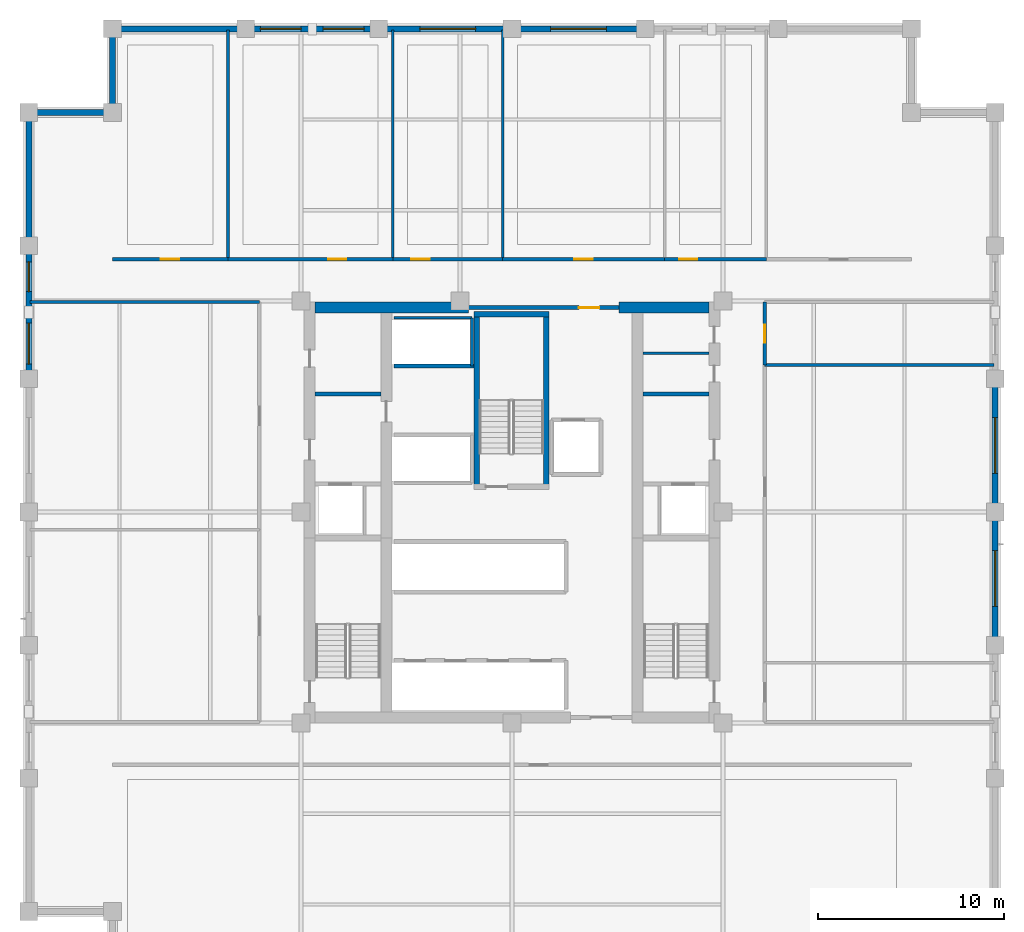
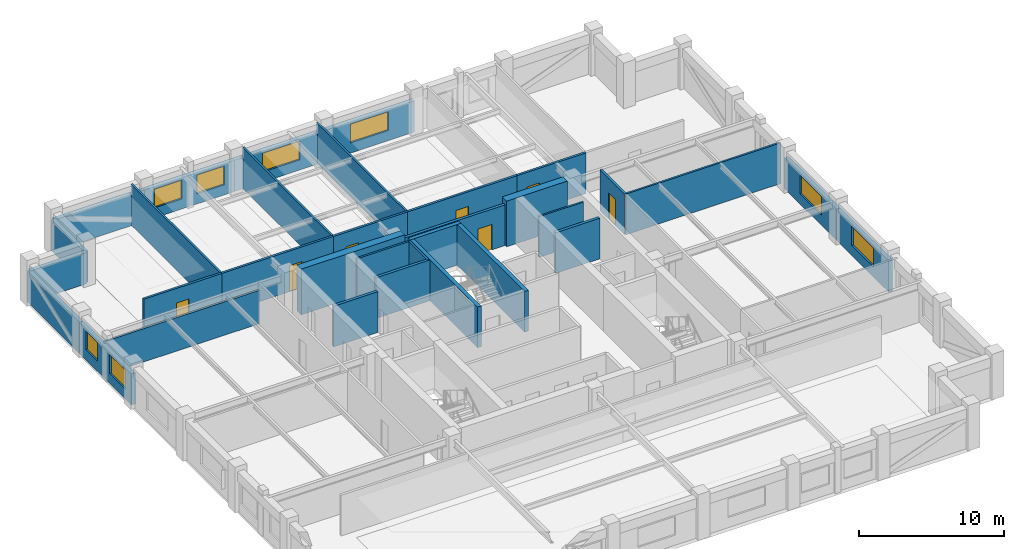
# One storey, part 7 of 12: 33 walls, 8 windows, 7 doors, 15 openings.
"""IFC4 building model written with IfcOpenShell, lengths in metres."""

from ifc_helpers import new_model, si_unit, direction, frame, frame_2d, origin, place, context, subcontext, project, spatial, rectangle, extrude, material, layer, layer_set, type_object, element, fill, save


model = new_model("IFC4")

# Units and contexts
model_context = context("Model", 3, precision=1e-05, world=origin(), true_north=direction((0.0, 1.0)))
body_context = subcontext(model_context, "Body", "Model", "MODEL_VIEW")
ifc_project = project(units=[si_unit("LENGTHUNIT", "METRE"), si_unit("AREAUNIT", "SQUARE_METRE"), si_unit("VOLUMEUNIT", "CUBIC_METRE"), si_unit("PLANEANGLEUNIT", "RADIAN"), si_unit("MASSUNIT", "GRAM", prefix="KILO")], contexts=[model_context])

# Site, building, storey
site_placement = place(None, origin())
site = spatial("IfcSite", under=ifc_project, at=site_placement, CompositionType="ELEMENT")
building_placement = place(site_placement, origin())
building = spatial("IfcBuilding", under=site, at=building_placement, Name="Nhamokura Convention Tower", CompositionType="ELEMENT")
storey_placement = place(building_placement, frame((0.0, 0.0, 110.60009765625)))
storey = spatial("IfcBuildingStorey", under=building, at=storey_placement, Name="L26", CompositionType="ELEMENT", Elevation=110.60009765625)

# Walls
ifc_material_1 = material(Name="Moisture-resistant tile-backer partition", Category="masonry")
ifc_layer_1 = layer(ifc_material_1, 0.139892578125)
ifc_layer_set_1 = layer_set([ifc_layer_1], Name="BathroomWetWall_140")
wall_type_1 = type_object("IfcWallType", Name="BathroomWetWall_140", PredefinedType="STANDARD", material=ifc_layer_set_1)
wall_1_placement = place(storey_placement, frame((39.06005859375, 40.550048828125, 0.0), z_axis=(0.0, 0.0, 1.0), x_axis=(1.0, 0.0, 0.0)))
element("IfcWall", 1, at=wall_1_placement, inside=storey, type_object=wall_type_1, Name="L26 Wall INT-L26-CWNE", PredefinedType="STANDARD", context=body_context, shape_type="SweptSolid", body=[
    extrude(rectangle(XDim=3.530029296875, YDim=0.139892578125, at=frame_2d((1.76513671875, 0.0))), origin(), (0.0, 0.0, 1.0), 3.429931640625),
])
ifc_material_2 = material(Name="Bronze-pigmented precast concrete C45/55", Category="concrete")
ifc_layer_2 = layer(ifc_material_2, 0.320068359375)
ifc_layer_set_2 = layer_set([ifc_layer_2], Name="BronzePrecastSpandrel_320")
wall_type_2 = type_object("IfcWallType", Name="BronzePrecastSpandrel_320", PredefinedType="USERDEFINED", material=ifc_layer_set_2)
wall_2_placement = place(storey_placement, frame((10.5, 58.0, 0.0), z_axis=(0.0, 0.0, 1.0), x_axis=(1.0, 0.0, 0.0)))
element("IfcWall", 2, at=wall_2_placement, inside=storey, type_object=wall_type_2, Name="L26 Braced-Bay Precast Wall NORTH 0", ObjectType="SPANDREL_WALL", PredefinedType="USERDEFINED", context=body_context, shape_type="SweptSolid", body=[
    extrude(rectangle(XDim=7.166748046875, YDim=0.320068359375, at=frame_2d((3.58349609375, 0.0))), origin(), (0.0, 0.0, 1.0), 2.6298828125),
])

# Wall, openings, windows
wall_3_placement = place(storey_placement, frame((17.666748046875, 58.0, 0.0), z_axis=(0.0, 0.0, 1.0), x_axis=(1.0, 0.0, 0.0)))
wall_3 = element("IfcWall", 3, at=wall_3_placement, inside=storey, type_object=wall_type_2, Name="L26 Masonry-Frame Wall NORTH 1", ObjectType="SPANDREL_WALL", PredefinedType="USERDEFINED", context=body_context, shape_type="SweptSolid", body=[
    extrude(rectangle(XDim=7.16650390625, YDim=0.320068359375, at=frame_2d((3.583251953125, 0.0))), origin(), (0.0, 0.0, 1.0), 2.6298828125),
])
opening_1_placement = place(wall_3_placement, frame((0.791748046875, 0.0, 0.85009765625)))
opening_1 = element("IfcOpeningElement", 4, at=opening_1_placement, cuts=wall_3, Name="Opening W-06", PredefinedType="OPENING", context=body_context, shape_type="SweptSolid", body=[
    extrude(rectangle(XDim=2.199951171875, YDim=1.580078125, at=frame_2d((1.10009765625, 0.7900390625))), frame((0.0, 0.169921875, 0.0), z_axis=(0.0, -1.0, 0.0), x_axis=(1.0, 0.0, 0.0)), (0.0, 0.0, 1.0), 0.340087890625),
])
opening_2_placement = place(wall_3_placement, frame((4.175048828125, 0.0, 0.85009765625)))
opening_2 = element("IfcOpeningElement", 5, at=opening_2_placement, cuts=wall_3, Name="Opening W-06", PredefinedType="OPENING", context=body_context, shape_type="SweptSolid", body=[
    extrude(rectangle(XDim=2.199951171875, YDim=1.580078125, at=frame_2d((1.10009765625, 0.7900390625))), frame((0.0, 0.169921875, 0.0), z_axis=(0.0, -1.0, 0.0), x_axis=(1.0, 0.0, 0.0)), (0.0, 0.0, 1.0), 0.340087890625),
])
ifc_material_3 = material(Name="Solar-control bronze low-E double glass", Category="glass")
window_type_1 = type_object("IfcWindowType", Name="OfficeModuleWindow_Z2_2200", PartitioningType="SINGLE_PANEL", PredefinedType="WINDOW", material=ifc_material_3)
window_1_placement = place(opening_1_placement, origin())
window_1 = element("IfcWindow", 6, at=window_1_placement, inside=storey, type_object=window_type_1, Name="L26 Facade Window NORTH 1-1", OverallHeight=1.580078125, OverallWidth=2.199951171875, PartitioningType="SINGLE_PANEL", PredefinedType="WINDOW", context=body_context, shape_type="SweptSolid", body=[
    extrude(rectangle(XDim=2.199951171875, YDim=1.580078125, at=frame_2d((1.10009765625, 0.7900390625))), frame((0.0, 0.030029296875, 0.0), z_axis=(0.0, -1.0, 0.0), x_axis=(1.0, 0.0, 0.0)), (0.0, 0.0, 1.0), 0.06005859375),
])
fill(opening_1, window_1)
window_2_placement = place(opening_2_placement, origin())
window_2 = element("IfcWindow", 7, at=window_2_placement, inside=storey, type_object=window_type_1, Name="L26 Facade Window NORTH 1-2", OverallHeight=1.580078125, OverallWidth=2.199951171875, PartitioningType="SINGLE_PANEL", PredefinedType="WINDOW", context=body_context, shape_type="SweptSolid", body=[
    extrude(rectangle(XDim=2.199951171875, YDim=1.580078125, at=frame_2d((1.10009765625, 0.7900390625))), frame((0.0, 0.030029296875, 0.0), z_axis=(0.0, -1.0, 0.0), x_axis=(1.0, 0.0, 0.0)), (0.0, 0.0, 1.0), 0.06005859375),
])
fill(opening_2, window_2)

# Wall, opening, window
wall_4_placement = place(storey_placement, frame((24.833251953125, 58.0, 0.0), z_axis=(0.0, 0.0, 1.0), x_axis=(1.0, 0.0, 0.0)))
wall_4 = element("IfcWall", 8, at=wall_4_placement, inside=storey, type_object=wall_type_2, Name="L26 Masonry-Frame Wall NORTH 2", ObjectType="SPANDREL_WALL", PredefinedType="USERDEFINED", context=body_context, shape_type="SweptSolid", body=[
    extrude(rectangle(XDim=7.166748046875, YDim=0.320068359375, at=frame_2d((3.58349609375, 0.0))), origin(), (0.0, 0.0, 1.0), 2.6298828125),
])
opening_3_placement = place(wall_4_placement, frame((2.208251953125, 0.0, 0.85009765625)))
opening_3 = element("IfcOpeningElement", 9, at=opening_3_placement, cuts=wall_4, Name="Opening W-05", PredefinedType="OPENING", context=body_context, shape_type="SweptSolid", body=[
    extrude(rectangle(XDim=3.0, YDim=1.580078125, at=frame_2d((1.5, 0.7900390625))), frame((0.0, 0.169921875, 0.0), z_axis=(0.0, -1.0, 0.0), x_axis=(1.0, 0.0, 0.0)), (0.0, 0.0, 1.0), 0.340087890625),
])
ifc_material_4 = material(Name="Solar-control bronze low-E double glass", Category="glass")
window_type_2 = type_object("IfcWindowType", Name="OfficeModuleWindow_Z2_3000", PartitioningType="DOUBLE_PANEL_VERTICAL", PredefinedType="WINDOW", material=ifc_material_4)
window_3_placement = place(opening_3_placement, origin())
window_3 = element("IfcWindow", 10, at=window_3_placement, inside=storey, type_object=window_type_2, Name="L26 Facade Window NORTH 2", OverallHeight=1.580078125, OverallWidth=3.0, PartitioningType="SINGLE_PANEL", PredefinedType="WINDOW", context=body_context, shape_type="SweptSolid", body=[
    extrude(rectangle(XDim=3.0, YDim=1.580078125, at=frame_2d((1.5, 0.7900390625))), frame((0.0, 0.030029296875, 0.0), z_axis=(0.0, -1.0, 0.0), x_axis=(1.0, 0.0, 0.0)), (0.0, 0.0, 1.0), 0.06005859375),
])
fill(opening_3, window_3)

wall_5_placement = place(storey_placement, frame((32.0, 58.0, 0.0), z_axis=(0.0, 0.0, 1.0), x_axis=(1.0, 0.0, 0.0)))
wall_5 = element("IfcWall", 11, at=wall_5_placement, inside=storey, type_object=wall_type_2, Name="L26 Masonry-Frame Wall NORTH 3", ObjectType="SPANDREL_WALL", PredefinedType="USERDEFINED", context=body_context, shape_type="SweptSolid", body=[
    extrude(rectangle(XDim=7.166748046875, YDim=0.320068359375, at=frame_2d((3.58349609375, 0.0))), origin(), (0.0, 0.0, 1.0), 2.6298828125),
])
opening_4_placement = place(wall_5_placement, frame((2.083251953125, 0.0, 0.85009765625)))
opening_4 = element("IfcOpeningElement", 12, at=opening_4_placement, cuts=wall_5, Name="Opening W-05", PredefinedType="OPENING", context=body_context, shape_type="SweptSolid", body=[
    extrude(rectangle(XDim=3.0, YDim=1.580078125, at=frame_2d((1.5, 0.7900390625))), frame((0.0, 0.169921875, 0.0), z_axis=(0.0, -1.0, 0.0), x_axis=(1.0, 0.0, 0.0)), (0.0, 0.0, 1.0), 0.340087890625),
])
window_4_placement = place(opening_4_placement, origin())
window_4 = element("IfcWindow", 13, at=window_4_placement, inside=storey, type_object=window_type_2, Name="L26 Facade Window NORTH 3", OverallHeight=1.580078125, OverallWidth=3.0, PartitioningType="SINGLE_PANEL", PredefinedType="WINDOW", context=body_context, shape_type="SweptSolid", body=[
    extrude(rectangle(XDim=3.0, YDim=1.580078125, at=frame_2d((1.5, 0.7900390625))), frame((0.0, 0.030029296875, 0.0), z_axis=(0.0, -1.0, 0.0), x_axis=(1.0, 0.0, 0.0)), (0.0, 0.0, 1.0), 0.06005859375),
])
fill(opening_4, window_4)

# Wall, openings, windows
wall_6_placement = place(storey_placement, frame((6.0, 39.166748046875, 0.0), z_axis=(0.0, 0.0, 1.0), x_axis=(0.0, 1.0, 0.0)))
wall_6 = element("IfcWall", 14, at=wall_6_placement, inside=storey, type_object=wall_type_2, Name="L26 Masonry-Frame Wall WEST 4", ObjectType="SPANDREL_WALL", PredefinedType="USERDEFINED", context=body_context, shape_type="SweptSolid", body=[
    extrude(rectangle(XDim=7.16650390625, YDim=0.320068359375, at=frame_2d((3.583251953125, 0.0))), origin(), (0.0, 0.0, 1.0), 2.6298828125),
])
opening_5_placement = place(wall_6_placement, frame((0.791748046875, 0.0, 0.85009765625)))
opening_5 = element("IfcOpeningElement", 15, at=opening_5_placement, cuts=wall_6, Name="Opening W-06", PredefinedType="OPENING", context=body_context, shape_type="SweptSolid", body=[
    extrude(rectangle(XDim=2.199951171875, YDim=1.580078125, at=frame_2d((1.10009765625, 0.7900390625))), frame((0.0, 0.169921875, 0.0), z_axis=(0.0, -1.0, 0.0), x_axis=(1.0, 0.0, 0.0)), (0.0, 0.0, 1.0), 0.340087890625),
])
opening_6_placement = place(wall_6_placement, frame((4.6875, 0.0, 0.85009765625)))
opening_6 = element("IfcOpeningElement", 16, at=opening_6_placement, cuts=wall_6, Name="Opening W-11", PredefinedType="OPENING", context=body_context, shape_type="SweptSolid", body=[
    extrude(rectangle(XDim=1.60009765625, YDim=1.580078125, at=frame_2d((0.800048828125, 0.7900390625))), frame((0.0, 0.169921875, 0.0), z_axis=(0.0, -1.0, 0.0), x_axis=(1.0, 0.0, 0.0)), (0.0, 0.0, 1.0), 0.340087890625),
])
ifc_material_5 = material(Name="Solar-control bronze low-E double glass", Category="glass")
window_type_3 = type_object("IfcWindowType", Name="NotchCornerWindow_1600", PartitioningType="SINGLE_PANEL", PredefinedType="WINDOW", material=ifc_material_5)
window_5_placement = place(opening_6_placement, origin())
window_5 = element("IfcWindow", 17, at=window_5_placement, inside=storey, type_object=window_type_3, Name="L26 Facade Window WEST 4-2", OverallHeight=1.580078125, OverallWidth=1.60009765625, PartitioningType="SINGLE_PANEL", PredefinedType="WINDOW", context=body_context, shape_type="SweptSolid", body=[
    extrude(rectangle(XDim=1.60009765625, YDim=1.580078125, at=frame_2d((0.800048828125, 0.7900390625))), frame((0.0, 0.030029296875, 0.0), z_axis=(0.0, -1.0, 0.0), x_axis=(1.0, 0.0, 0.0)), (0.0, 0.0, 1.0), 0.06005859375),
])
fill(opening_6, window_5)
window_6_placement = place(opening_5_placement, origin())
window_6 = element("IfcWindow", 18, at=window_6_placement, inside=storey, type_object=window_type_1, Name="L26 Facade Window WEST 4-1", OverallHeight=1.580078125, OverallWidth=2.199951171875, PartitioningType="SINGLE_PANEL", PredefinedType="WINDOW", context=body_context, shape_type="SweptSolid", body=[
    extrude(rectangle(XDim=2.199951171875, YDim=1.580078125, at=frame_2d((1.10009765625, 0.7900390625))), frame((0.0, 0.030029296875, 0.0), z_axis=(0.0, -1.0, 0.0), x_axis=(1.0, 0.0, 0.0)), (0.0, 0.0, 1.0), 0.06005859375),
])
fill(opening_5, window_6)

# Wall
wall_7_placement = place(storey_placement, frame((6.0, 46.333251953125, 0.0), z_axis=(0.0, 0.0, 1.0), x_axis=(0.0, 1.0, 0.0)))
element("IfcWall", 19, at=wall_7_placement, inside=storey, type_object=wall_type_2, Name="L26 Braced-Bay Precast Wall WEST 5", ObjectType="SPANDREL_WALL", PredefinedType="USERDEFINED", context=body_context, shape_type="SweptSolid", body=[
    extrude(rectangle(XDim=7.166748046875, YDim=0.320068359375, at=frame_2d((3.58349609375, 0.0))), origin(), (0.0, 0.0, 1.0), 2.6298828125),
])

# Wall, opening, window
wall_8_placement = place(storey_placement, frame((58.0, 32.0, 0.0), z_axis=(0.0, 0.0, 1.0), x_axis=(0.0, -1.0, 0.0)))
wall_8 = element("IfcWall", 20, at=wall_8_placement, inside=storey, type_object=wall_type_2, Name="L26 Masonry-Frame Wall EAST 2", ObjectType="SPANDREL_WALL", PredefinedType="USERDEFINED", context=body_context, shape_type="SweptSolid", body=[
    extrude(rectangle(XDim=7.166748046875, YDim=0.320068359375, at=frame_2d((3.58349609375, 0.0))), origin(), (0.0, 0.0, 1.0), 2.6298828125),
])
opening_7_placement = place(wall_8_placement, frame((2.083251953125, 0.0, 0.85009765625)))
opening_7 = element("IfcOpeningElement", 21, at=opening_7_placement, cuts=wall_8, Name="Opening W-05", PredefinedType="OPENING", context=body_context, shape_type="SweptSolid", body=[
    extrude(rectangle(XDim=3.0, YDim=1.580078125, at=frame_2d((1.5, 0.7900390625))), frame((0.0, 0.169921875, 0.0), z_axis=(0.0, -1.0, 0.0), x_axis=(1.0, 0.0, 0.0)), (0.0, 0.0, 1.0), 0.340087890625),
])
window_7_placement = place(opening_7_placement, origin())
window_7 = element("IfcWindow", 22, at=window_7_placement, inside=storey, type_object=window_type_2, Name="L26 Facade Window EAST 2", OverallHeight=1.580078125, OverallWidth=3.0, PartitioningType="SINGLE_PANEL", PredefinedType="WINDOW", context=body_context, shape_type="SweptSolid", body=[
    extrude(rectangle(XDim=3.0, YDim=1.580078125, at=frame_2d((1.5, 0.7900390625))), frame((0.0, 0.030029296875, 0.0), z_axis=(0.0, -1.0, 0.0), x_axis=(1.0, 0.0, 0.0)), (0.0, 0.0, 1.0), 0.06005859375),
])
fill(opening_7, window_7)

wall_9_placement = place(storey_placement, frame((58.0, 39.166748046875, 0.0), z_axis=(0.0, 0.0, 1.0), x_axis=(0.0, -1.0, 0.0)))
wall_9 = element("IfcWall", 23, at=wall_9_placement, inside=storey, type_object=wall_type_2, Name="L26 Masonry-Frame Wall EAST 3", ObjectType="SPANDREL_WALL", PredefinedType="USERDEFINED", context=body_context, shape_type="SweptSolid", body=[
    extrude(rectangle(XDim=7.166748046875, YDim=0.320068359375, at=frame_2d((3.58349609375, 0.0))), origin(), (0.0, 0.0, 1.0), 2.6298828125),
])
opening_8_placement = place(wall_9_placement, frame((2.083251953125, 0.0, 0.85009765625)))
opening_8 = element("IfcOpeningElement", 24, at=opening_8_placement, cuts=wall_9, Name="Opening W-05", PredefinedType="OPENING", context=body_context, shape_type="SweptSolid", body=[
    extrude(rectangle(XDim=3.0, YDim=1.580078125, at=frame_2d((1.5, 0.7900390625))), frame((0.0, 0.169921875, 0.0), z_axis=(0.0, -1.0, 0.0), x_axis=(1.0, 0.0, 0.0)), (0.0, 0.0, 1.0), 0.340087890625),
])
window_8_placement = place(opening_8_placement, origin())
window_8 = element("IfcWindow", 25, at=window_8_placement, inside=storey, type_object=window_type_2, Name="L26 Facade Window EAST 3", OverallHeight=1.580078125, OverallWidth=3.0, PartitioningType="SINGLE_PANEL", PredefinedType="WINDOW", context=body_context, shape_type="SweptSolid", body=[
    extrude(rectangle(XDim=3.0, YDim=1.580078125, at=frame_2d((1.5, 0.7900390625))), frame((0.0, 0.030029296875, 0.0), z_axis=(0.0, -1.0, 0.0), x_axis=(1.0, 0.0, 0.0)), (0.0, 0.0, 1.0), 0.06005859375),
])
fill(opening_8, window_8)

# Walls
for number, where, z_axis, x_axis, name in (
    (26, (10.5, 53.5, 0.0), (0.0, 0.0, 1.0), (0.0, 1.0, 0.0), "L26 Notched Corner Wall NW1"),
    (27, (6.0, 53.5, 0.0), (0.0, 0.0, 1.0), (1.0, 0.0, 0.0), "L26 Notched Corner Wall NW2"),
):
    element("IfcWall", number, at=place(storey_placement, frame(where, z_axis=z_axis, x_axis=x_axis)), inside=storey, type_object=wall_type_2, Name=name, ObjectType="SPANDREL_WALL", PredefinedType="USERDEFINED", context=body_context, shape_type="SweptSolid", body=[
        extrude(rectangle(XDim=4.5, YDim=0.320068359375, at=frame_2d((2.25, 0.0))), origin(), (0.0, 0.0, 1.0), 2.6298828125),
    ])
ifc_material_6 = material(Name="Concrete C60/75", Category="concrete")
ifc_layer_3 = layer(ifc_material_6, 0.60009765625)
ifc_layer_set_3 = layer_set([ifc_layer_3], Name="CoreShearWall_600")
wall_type_3 = type_object("IfcWallType", Name="CoreShearWall_600", PredefinedType="SHEAR", material=ifc_layer_set_3)
wall_10_placement = place(storey_placement, frame((21.409912109375, 43.0, 0.0), z_axis=(0.0, 0.0, 1.0), x_axis=(1.0, 0.0, 0.0)))
element("IfcWall", 28, at=wall_10_placement, inside=storey, type_object=wall_type_3, Name="L26 Core Shear Wall CW-N1", PredefinedType="SHEAR", context=body_context, shape_type="SweptSolid", body=[
    extrude(rectangle(XDim=8.239990234375, YDim=0.60009765625, at=frame_2d((4.1201171875, 0.0))), origin(), (0.0, 0.0, 1.0), 3.849853515625),
])
wall_11_placement = place(storey_placement, frame((37.75, 43.0, 0.0), z_axis=(0.0, 0.0, 1.0), x_axis=(1.0, 0.0, 0.0)))
element("IfcWall", 29, at=wall_11_placement, inside=storey, type_object=wall_type_3, Name="L26 Core Shear Wall CW-N2", PredefinedType="SHEAR", context=body_context, shape_type="SweptSolid", body=[
    extrude(rectangle(XDim=4.840087890625, YDim=0.60009765625, at=frame_2d((2.419921875, 0.0))), origin(), (0.0, 0.0, 1.0), 3.849853515625),
])

# Wall, opening, door
ifc_material_7 = material(Name="Fire-rated gypsum and masonry partition", Category="masonry")
ifc_layer_4 = layer(ifc_material_7, 0.179931640625)
ifc_layer_set_4 = layer_set([ifc_layer_4], Name="CorridorRatedWall_180")
wall_type_4 = type_object("IfcWallType", Name="CorridorRatedWall_180", PredefinedType="STANDARD", material=ifc_layer_set_4)
wall_12_placement = place(storey_placement, frame((10.5, 45.60009765625, 0.0), z_axis=(0.0, 0.0, 1.0), x_axis=(1.0, 0.0, 0.0)))
wall_12 = element("IfcWall", 30, at=wall_12_placement, inside=storey, type_object=wall_type_4, Name="L26 Wall INT-L26-CW-N00", PredefinedType="STANDARD", context=body_context, shape_type="SweptSolid", body=[
    extrude(rectangle(XDim=6.216796875, YDim=0.179931640625, at=frame_2d((3.1083984375, 0.0))), origin(), (0.0, 0.0, 1.0), 3.429931640625),
])
opening_9_placement = place(wall_12_placement, frame((2.6083984375, 0.0, 0.0)))
opening_9 = element("IfcOpeningElement", 31, at=opening_9_placement, cuts=wall_12, Name="Opening D-08", PredefinedType="OPENING", context=body_context, shape_type="SweptSolid", body=[
    extrude(rectangle(XDim=0.97998046875, YDim=2.199951171875, at=frame_2d((0.489990234375, 1.10009765625))), frame((0.0, 0.099853515625, 0.0), z_axis=(0.0, -1.0, 0.0), x_axis=(1.0, 0.0, 0.0)), (0.0, 0.0, 1.0), 0.199951171875),
])
ifc_material_8 = material(Name="Solid oak hardwood", Category="wood")
door_type_1 = type_object("IfcDoorType", Name="OfficeEntryDoor_980", OperationType="NOTDEFINED", PredefinedType="DOOR", material=ifc_material_8)
door_1_placement = place(opening_9_placement, origin())
door_1 = element("IfcDoor", 32, at=door_1_placement, inside=storey, type_object=door_type_1, Name="L26 Private Office N01 Door", OperationType="SINGLE_SWING_LEFT", OverallHeight=2.199951171875, OverallWidth=0.97998046875, PredefinedType="DOOR", context=body_context, shape_type="SweptSolid", body=[
    extrude(rectangle(XDim=0.97998046875, YDim=2.199951171875, at=frame_2d((0.489990234375, 1.10009765625))), frame((0.0, 0.02490234375, 0.0), z_axis=(0.0, -1.0, 0.0), x_axis=(1.0, 0.0, 0.0)), (0.0, 0.0, 1.0), 0.050048828125),
])
fill(opening_9, door_1)

wall_13_placement = place(storey_placement, frame((16.716796875, 45.60009765625, 0.0), z_axis=(0.0, 0.0, 1.0), x_axis=(1.0, 0.0, 0.0)))
wall_13 = element("IfcWall", 33, at=wall_13_placement, inside=storey, type_object=wall_type_4, Name="L26 Wall INT-L26-CW-N01", PredefinedType="STANDARD", context=body_context, shape_type="SweptSolid", body=[
    extrude(rectangle(XDim=8.866455078125, YDim=0.179931640625, at=frame_2d((4.43310546875, 0.0))), origin(), (0.0, 0.0, 1.0), 3.429931640625),
])
opening_10_placement = place(wall_13_placement, frame((5.38330078125, 0.0, 0.0)))
opening_10 = element("IfcOpeningElement", 34, at=opening_10_placement, cuts=wall_13, Name="Opening D-08", PredefinedType="OPENING", context=body_context, shape_type="SweptSolid", body=[
    extrude(rectangle(XDim=0.97998046875, YDim=2.199951171875, at=frame_2d((0.489990234375, 1.10009765625))), frame((0.0, 0.099853515625, 0.0), z_axis=(0.0, -1.0, 0.0), x_axis=(1.0, 0.0, 0.0)), (0.0, 0.0, 1.0), 0.199951171875),
])
door_2_placement = place(opening_10_placement, origin())
door_2 = element("IfcDoor", 35, at=door_2_placement, inside=storey, type_object=door_type_1, Name="L26 Private Office N02 Door", OperationType="SINGLE_SWING_RIGHT", OverallHeight=2.199951171875, OverallWidth=0.97998046875, PredefinedType="DOOR", context=body_context, shape_type="SweptSolid", body=[
    extrude(rectangle(XDim=0.97998046875, YDim=2.199951171875, at=frame_2d((0.489990234375, 1.10009765625))), frame((0.0, 0.02490234375, 0.0), z_axis=(0.0, -1.0, 0.0), x_axis=(1.0, 0.0, 0.0)), (0.0, 0.0, 1.0), 0.050048828125),
])
fill(opening_10, door_2)

wall_14_placement = place(storey_placement, frame((25.583251953125, 45.60009765625, 0.0), z_axis=(0.0, 0.0, 1.0), x_axis=(1.0, 0.0, 0.0)))
wall_14 = element("IfcWall", 36, at=wall_14_placement, inside=storey, type_object=wall_type_4, Name="L26 Wall INT-L26-CW-N02", PredefinedType="STANDARD", context=body_context, shape_type="SweptSolid", body=[
    extrude(rectangle(XDim=5.916748046875, YDim=0.179931640625, at=frame_2d((2.95849609375, 0.0))), origin(), (0.0, 0.0, 1.0), 3.429931640625),
])
opening_11_placement = place(wall_14_placement, frame((1.00830078125, 0.0, 0.0)))
opening_11 = element("IfcOpeningElement", 37, at=opening_11_placement, cuts=wall_14, Name="Opening D-08", PredefinedType="OPENING", context=body_context, shape_type="SweptSolid", body=[
    extrude(rectangle(XDim=0.97998046875, YDim=2.199951171875, at=frame_2d((0.489990234375, 1.10009765625))), frame((0.0, 0.099853515625, 0.0), z_axis=(0.0, -1.0, 0.0), x_axis=(1.0, 0.0, 0.0)), (0.0, 0.0, 1.0), 0.199951171875),
])
door_3_placement = place(opening_11_placement, origin())
door_3 = element("IfcDoor", 38, at=door_3_placement, inside=storey, type_object=door_type_1, Name="L26 Meeting Room N03 Door", OperationType="SINGLE_SWING_LEFT", OverallHeight=2.199951171875, OverallWidth=0.97998046875, PredefinedType="DOOR", context=body_context, shape_type="SweptSolid", body=[
    extrude(rectangle(XDim=0.97998046875, YDim=2.199951171875, at=frame_2d((0.489990234375, 1.10009765625))), frame((0.0, 0.02490234375, 0.0), z_axis=(0.0, -1.0, 0.0), x_axis=(1.0, 0.0, 0.0)), (0.0, 0.0, 1.0), 0.050048828125),
])
fill(opening_11, door_3)

wall_15_placement = place(storey_placement, frame((31.5, 45.60009765625, 0.0), z_axis=(0.0, 0.0, 1.0), x_axis=(1.0, 0.0, 0.0)))
wall_15 = element("IfcWall", 39, at=wall_15_placement, inside=storey, type_object=wall_type_4, Name="L26 Wall INT-L26-CW-N03", PredefinedType="STANDARD", context=body_context, shape_type="SweptSolid", body=[
    extrude(rectangle(XDim=8.716796875, YDim=0.179931640625, at=frame_2d((4.3583984375, 0.0))), origin(), (0.0, 0.0, 1.0), 3.429931640625),
])
opening_12_placement = place(wall_15_placement, frame((3.8583984375, 0.0, 0.0)))
opening_12 = element("IfcOpeningElement", 40, at=opening_12_placement, cuts=wall_15, Name="Opening D-08", PredefinedType="OPENING", context=body_context, shape_type="SweptSolid", body=[
    extrude(rectangle(XDim=0.97998046875, YDim=2.199951171875, at=frame_2d((0.489990234375, 1.10009765625))), frame((0.0, 0.099853515625, 0.0), z_axis=(0.0, -1.0, 0.0), x_axis=(1.0, 0.0, 0.0)), (0.0, 0.0, 1.0), 0.199951171875),
])
door_4_placement = place(opening_12_placement, origin())
door_4 = element("IfcDoor", 41, at=door_4_placement, inside=storey, type_object=door_type_1, Name="L26 Private Office N04 Door", OperationType="SINGLE_SWING_RIGHT", OverallHeight=2.199951171875, OverallWidth=0.97998046875, PredefinedType="DOOR", context=body_context, shape_type="SweptSolid", body=[
    extrude(rectangle(XDim=0.97998046875, YDim=2.199951171875, at=frame_2d((0.489990234375, 1.10009765625))), frame((0.0, 0.02490234375, 0.0), z_axis=(0.0, -1.0, 0.0), x_axis=(1.0, 0.0, 0.0)), (0.0, 0.0, 1.0), 0.050048828125),
])
fill(opening_12, door_4)

wall_16_placement = place(storey_placement, frame((40.216796875, 45.60009765625, 0.0), z_axis=(0.0, 0.0, 1.0), x_axis=(1.0, 0.0, 0.0)))
wall_16 = element("IfcWall", 42, at=wall_16_placement, inside=storey, type_object=wall_type_4, Name="L26 Wall INT-L26-CW-N04", PredefinedType="STANDARD", context=body_context, shape_type="SweptSolid", body=[
    extrude(rectangle(XDim=5.466552734375, YDim=0.179931640625, at=frame_2d((2.7333984375, 0.0))), origin(), (0.0, 0.0, 1.0), 3.429931640625),
])
opening_13_placement = place(wall_16_placement, frame((0.783203125, 0.0, 0.0)))
opening_13 = element("IfcOpeningElement", 43, at=opening_13_placement, cuts=wall_16, Name="Opening D-08", PredefinedType="OPENING", context=body_context, shape_type="SweptSolid", body=[
    extrude(rectangle(XDim=0.97998046875, YDim=2.199951171875, at=frame_2d((0.489990234375, 1.10009765625))), frame((0.0, 0.099853515625, 0.0), z_axis=(0.0, -1.0, 0.0), x_axis=(1.0, 0.0, 0.0)), (0.0, 0.0, 1.0), 0.199951171875),
])
door_5_placement = place(opening_13_placement, origin())
door_5 = element("IfcDoor", 44, at=door_5_placement, inside=storey, type_object=door_type_1, Name="L26 Private Office N05 Door", OperationType="SINGLE_SWING_LEFT", OverallHeight=2.199951171875, OverallWidth=0.97998046875, PredefinedType="DOOR", context=body_context, shape_type="SweptSolid", body=[
    extrude(rectangle(XDim=0.97998046875, YDim=2.199951171875, at=frame_2d((0.489990234375, 1.10009765625))), frame((0.0, 0.02490234375, 0.0), z_axis=(0.0, -1.0, 0.0), x_axis=(1.0, 0.0, 0.0)), (0.0, 0.0, 1.0), 0.050048828125),
])
fill(opening_13, door_5)

wall_17_placement = place(storey_placement, frame((45.60009765625, 39.916748046875, 0.0), z_axis=(0.0, 0.0, 1.0), x_axis=(0.0, 1.0, 0.0)))
wall_17 = element("IfcWall", 45, at=wall_17_placement, inside=storey, type_object=wall_type_4, Name="L26 Wall INT-L26-CW-E02", PredefinedType="STANDARD", context=body_context, shape_type="SweptSolid", body=[
    extrude(rectangle(XDim=3.38330078125, YDim=0.179931640625, at=frame_2d((1.691650390625, 0.0))), origin(), (0.0, 0.0, 1.0), 3.429931640625),
])
opening_14_placement = place(wall_17_placement, frame((1.191650390625, 0.0, 0.0)))
opening_14 = element("IfcOpeningElement", 46, at=opening_14_placement, cuts=wall_17, Name="Opening D-08", PredefinedType="OPENING", context=body_context, shape_type="SweptSolid", body=[
    extrude(rectangle(XDim=0.97998046875, YDim=2.199951171875, at=frame_2d((0.489990234375, 1.10009765625))), frame((0.0, 0.099853515625, 0.0), z_axis=(0.0, -1.0, 0.0), x_axis=(1.0, 0.0, 0.0)), (0.0, 0.0, 1.0), 0.199951171875),
])
door_6_placement = place(opening_14_placement, origin())
door_6 = element("IfcDoor", 47, at=door_6_placement, inside=storey, type_object=door_type_1, Name="L26 Collaboration Lounge E03 Door", OperationType="SINGLE_SWING_LEFT", OverallHeight=2.199951171875, OverallWidth=0.97998046875, PredefinedType="DOOR", context=body_context, shape_type="SweptSolid", body=[
    extrude(rectangle(XDim=0.97998046875, YDim=2.199951171875, at=frame_2d((0.489990234375, 1.10009765625))), frame((0.0, 0.02490234375, 0.0), z_axis=(0.0, -1.0, 0.0), x_axis=(1.0, 0.0, 0.0)), (0.0, 0.0, 1.0), 0.050048828125),
])
fill(opening_14, door_6)

# Walls
ifc_material_9 = material(Name="Autoclaved concrete blockwork", Category="masonry")
ifc_layer_5 = layer(ifc_material_9, 0.219970703125)
ifc_layer_set_5 = layer_set([ifc_layer_5], Name="FireLobbyWall_220")
wall_type_5 = type_object("IfcWallType", Name="FireLobbyWall_220", PredefinedType="STANDARD", material=ifc_layer_set_5)
for number, where, z_axis, x_axis, name in (
    (48, (21.409912109375, 38.35009765625, 0.0), (0.0, 0.0, 1.0), (1.0, 0.0, 0.0), "L26 Wall INT-L26-FFW-N"),
    (49, (39.06005859375, 38.35009765625, 0.0), (0.0, 0.0, 1.0), (1.0, 0.0, 0.0), "L26 Wall INT-L26-FFE-N"),
):
    element("IfcWall", number, at=place(storey_placement, frame(where, z_axis=z_axis, x_axis=x_axis)), inside=storey, type_object=wall_type_5, Name=name, PredefinedType="STANDARD", context=body_context, shape_type="SweptSolid", body=[
        extrude(rectangle(XDim=3.530029296875, YDim=0.219970703125, at=frame_2d((1.76513671875, 0.0))), origin(), (0.0, 0.0, 1.0), 3.429931640625),
    ])
wall_18_placement = place(storey_placement, frame((25.64990234375, 39.85009765625, 0.0), z_axis=(0.0, 0.0, 1.0), x_axis=(1.0, 0.0, 0.0)))
element("IfcWall", 50, at=wall_18_placement, inside=storey, type_object=wall_type_5, Name="L26 Wall INT-L26-B3N", PredefinedType="STANDARD", context=body_context, shape_type="SweptSolid", body=[
    extrude(rectangle(XDim=4.300048828125, YDim=0.219970703125, at=frame_2d((2.14990234375, 0.0))), origin(), (0.0, 0.0, 1.0), 3.429931640625),
])

# Wall, opening, door
wall_19_placement = place(storey_placement, frame((29.64990234375, 43.0, 0.0), z_axis=(0.0, 0.0, 1.0), x_axis=(1.0, 0.0, 0.0)))
wall_19 = element("IfcWall", 51, at=wall_19_placement, inside=storey, type_object=wall_type_5, Name="L26 Wall INT-L26-CPORT-N", PredefinedType="STANDARD", context=body_context, shape_type="SweptSolid", body=[
    extrude(rectangle(XDim=8.10009765625, YDim=0.219970703125, at=frame_2d((4.050048828125, 0.0))), origin(), (0.0, 0.0, 1.0), 3.429931640625),
])
opening_15_placement = place(wall_19_placement, frame((5.949951171875, 0.0, 0.0)))
opening_15 = element("IfcOpeningElement", 52, at=opening_15_placement, cuts=wall_19, Name="Opening D-05", PredefinedType="OPENING", context=body_context, shape_type="SweptSolid", body=[
    extrude(rectangle(XDim=1.10009765625, YDim=2.14990234375, at=frame_2d((0.550048828125, 1.074951171875))), frame((0.0, 0.119873046875, 0.0), z_axis=(0.0, -1.0, 0.0), x_axis=(1.0, 0.0, 0.0)), (0.0, 0.0, 1.0), 0.239990234375),
])
ifc_material_10 = material(Name="Fire-rated steel door", Category="steel")
door_type_2 = type_object("IfcDoorType", Name="FireLobbyDoor_1100", OperationType="NOTDEFINED", PredefinedType="DOOR", material=ifc_material_10)
door_7_placement = place(opening_15_placement, origin())
door_7 = element("IfcDoor", 53, at=door_7_placement, inside=storey, type_object=door_type_2, Name="L26 North Core Lobby Portal Door", OperationType="SINGLE_SWING_RIGHT", OverallHeight=2.14990234375, OverallWidth=1.10009765625, PredefinedType="DOOR", context=body_context, shape_type="SweptSolid", body=[
    extrude(rectangle(XDim=1.10009765625, YDim=2.14990234375, at=frame_2d((0.550048828125, 1.074951171875))), frame((0.0, 0.02490234375, 0.0), z_axis=(0.0, -1.0, 0.0), x_axis=(1.0, 0.0, 0.0)), (0.0, 0.0, 1.0), 0.050048828125),
])
fill(opening_15, door_7)

# Walls
ifc_material_11 = material(Name="Acoustic gypsum stud partition", Category="masonry")
ifc_layer_6 = layer(ifc_material_11, 0.14990234375)
ifc_layer_set_6 = layer_set([ifc_layer_6], Name="InteriorPartition_150")
wall_type_6 = type_object("IfcWallType", Name="InteriorPartition_150", PredefinedType="STANDARD", material=ifc_layer_set_6)
wall_20_placement = place(storey_placement, frame((25.64990234375, 42.449951171875, 0.0), z_axis=(0.0, 0.0, 1.0), x_axis=(1.0, 0.0, 0.0)))
element("IfcWall", 54, at=wall_20_placement, inside=storey, type_object=wall_type_6, Name="L26 Wall INT-L26-B3B-N", PredefinedType="STANDARD", context=body_context, shape_type="SweptSolid", body=[
    extrude(rectangle(XDim=4.2001953125, YDim=0.14990234375, at=frame_2d((2.10009765625, 0.0))), origin(), (0.0, 0.0, 1.0), 3.429931640625),
])
wall_21_placement = place(storey_placement, frame((29.85009765625, 39.85009765625, 0.0), z_axis=(0.0, 0.0, 1.0), x_axis=(0.0, 1.0, 0.0)))
element("IfcWall", 55, at=wall_21_placement, inside=storey, type_object=wall_type_6, Name="L26 Wall INT-L26-B3B-E", PredefinedType="STANDARD", context=body_context, shape_type="SweptSolid", body=[
    extrude(rectangle(XDim=2.599853515625, YDim=0.14990234375, at=frame_2d((1.2998046875, 0.0))), origin(), (0.0, 0.0, 1.0), 3.429931640625),
])
for number, where, z_axis, x_axis, name in (
    (56, (16.716796875, 45.60009765625, 0.0), (0.0, 0.0, 1.0), (0.0, 1.0, 0.0), "L26 Wall INT-L26-RW-N01"),
    (57, (25.583251953125, 45.60009765625, 0.0), (0.0, 0.0, 1.0), (0.0, 1.0, 0.0), "L26 Wall INT-L26-RW-N02"),
    (58, (31.5, 45.60009765625, 0.0), (0.0, 0.0, 1.0), (0.0, 1.0, 0.0), "L26 Wall INT-L26-RW-N03"),
):
    element("IfcWall", number, at=place(storey_placement, frame(where, z_axis=z_axis, x_axis=x_axis)), inside=storey, type_object=wall_type_6, Name=name, PredefinedType="STANDARD", context=body_context, shape_type="SweptSolid", body=[
        extrude(rectangle(XDim=12.33984375, YDim=0.14990234375, at=frame_2d((6.169921875, 0.0))), origin(), (0.0, 0.0, 1.0), 3.429931640625),
    ])
wall_22_placement = place(storey_placement, frame((6.06005859375, 43.300048828125, 0.0), z_axis=(0.0, 0.0, 1.0), x_axis=(1.0, 0.0, 0.0)))
element("IfcWall", 59, at=wall_22_placement, inside=storey, type_object=wall_type_6, Name="L26 Wall INT-L26-RWT-W", PredefinedType="STANDARD", context=body_context, shape_type="SweptSolid", body=[
    extrude(rectangle(XDim=12.33984375, YDim=0.14990234375, at=frame_2d((6.169921875, 0.0))), origin(), (0.0, 0.0, 1.0), 2.809814453125),
])
wall_23_placement = place(storey_placement, frame((45.60009765625, 39.916748046875, 0.0), z_axis=(0.0, 0.0, 1.0), x_axis=(1.0, 0.0, 0.0)))
element("IfcWall", 60, at=wall_23_placement, inside=storey, type_object=wall_type_6, Name="L26 Wall INT-L26-RW-E02", PredefinedType="STANDARD", context=body_context, shape_type="SweptSolid", body=[
    extrude(rectangle(XDim=12.33984375, YDim=0.14990234375, at=frame_2d((6.169921875, 0.0))), origin(), (0.0, 0.0, 1.0), 3.429931640625),
])
ifc_material_12 = material(Name="Concrete C50/60", Category="concrete")
ifc_layer_7 = layer(ifc_material_12, 0.300048828125)
ifc_layer_set_7 = layer_set([ifc_layer_7], Name="ShaftEnclosureWall_300")
wall_type_7 = type_object("IfcWallType", Name="ShaftEnclosureWall_300", PredefinedType="SHEAR", material=ifc_layer_set_7)
for number, where, z_axis, x_axis, name in (
    (61, (30.10009765625, 33.199951171875, 0.0), (0.0, 0.0, 1.0), (0.0, 1.0, 0.0), "L26 Wall INT-L26-ST03W"),
    (62, (33.85009765625, 33.199951171875, 0.0), (0.0, 0.0, 1.0), (0.0, 1.0, 0.0), "L26 Wall INT-L26-ST03E"),
):
    element("IfcWall", number, at=place(storey_placement, frame(where, z_axis=z_axis, x_axis=x_axis)), inside=storey, type_object=wall_type_7, Name=name, PredefinedType="SHEAR", context=body_context, shape_type="SweptSolid", body=[
        extrude(rectangle(XDim=9.60009765625, YDim=0.300048828125, at=frame_2d((4.800048828125, 0.0))), origin(), (0.0, 0.0, 1.0), 3.429931640625),
    ])
wall_24_placement = place(storey_placement, frame((29.949951171875, 42.64990234375, 0.0), z_axis=(0.0, 0.0, 1.0), x_axis=(1.0, 0.0, 0.0)))
element("IfcWall", 63, at=wall_24_placement, inside=storey, type_object=wall_type_7, Name="L26 Wall INT-L26-ST03N", PredefinedType="SHEAR", context=body_context, shape_type="SweptSolid", body=[
    extrude(rectangle(XDim=4.050048828125, YDim=0.300048828125, at=frame_2d((2.02490234375, 0.0))), origin(), (0.0, 0.0, 1.0), 3.429931640625),
])

save(model, "model.ifc")
